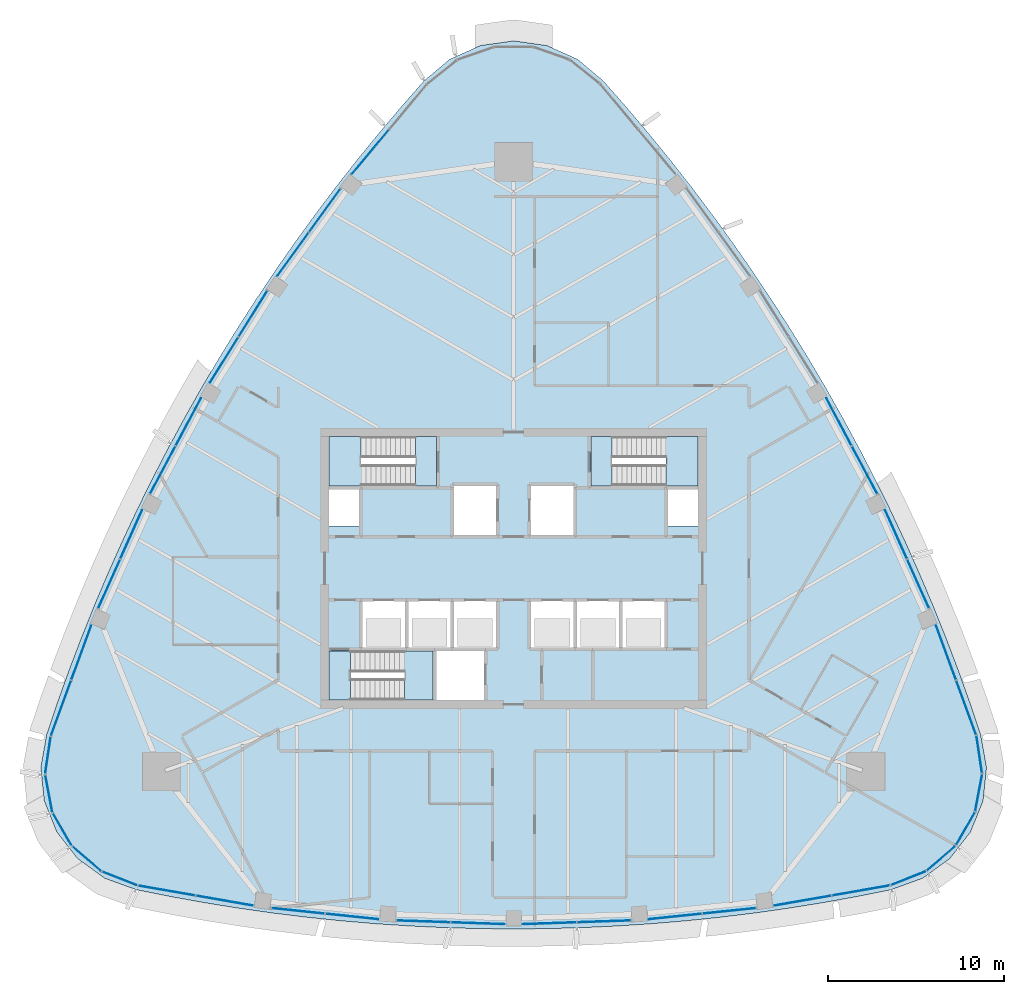
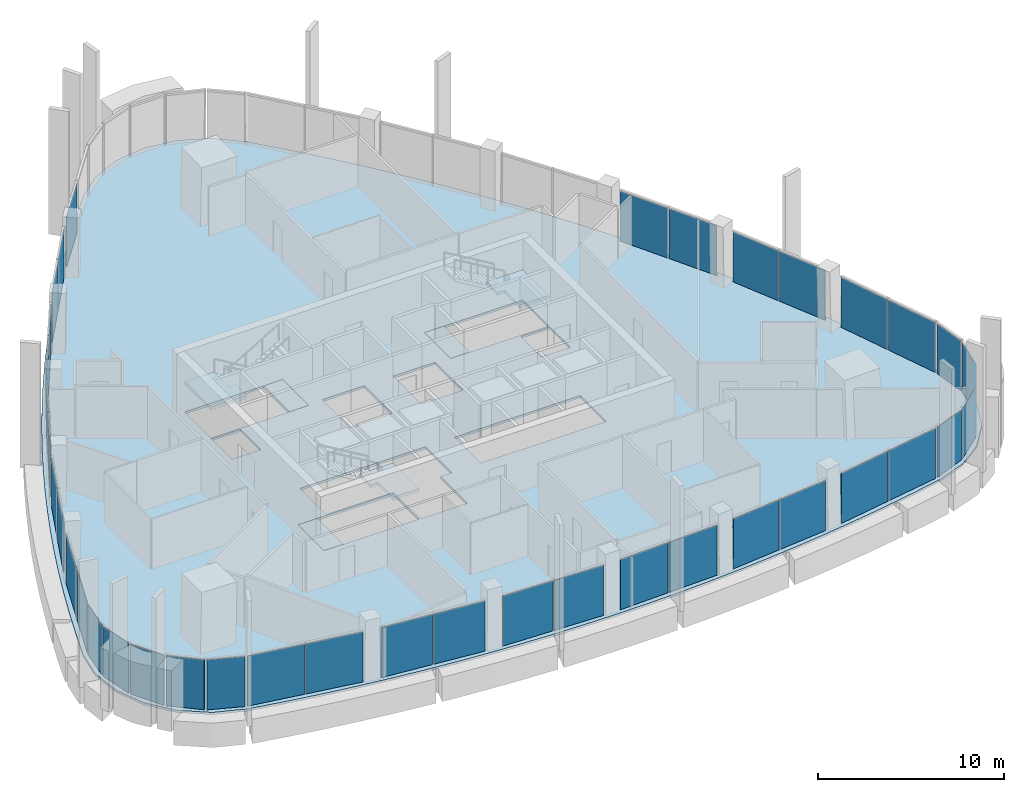
# One storey, part 7 of 19: 39 plates, 7 slabs, 28 elements without a shape of their own.
"""IFC4 building model written with IfcOpenShell, lengths in metres."""

import ifcopenshell
import ifcopenshell.guid

model = None  # the IFC model being written
_history = None  # IfcOwnerHistory: only IFC2X3 demands one
_inside = {}  # id of a spatial element -> (the spatial element, [elements in it])
_under = {}  # id of a project, library or spatial element -> (it, [spatial elements below it])
_declared = {}  # id of a project -> (the project, [libraries it declares])
_typed = {}  # id of a type object -> (the type object, [elements of that type])
_made_of = {}  # id of a material, layer set ... -> (it, [elements and type objects made of it])


def new_model(schema):
    """Start an empty IFC model of exactly this schema.

    Asked for "IFC4X3", IfcOpenShell would pick the latest addendum, in which some entities
    have other attributes; the version numbers below select the first issue.
    IFC2X3 requires an IfcOwnerHistory on every rooted entity: one is made here for all.
    """
    global model, _history
    if schema == "IFC4X3":
        model = ifcopenshell.file(schema_version=(4, 3, 0, 0))
    else:
        model = ifcopenshell.file(schema=schema)
    _inside.clear()
    _under.clear()
    _declared.clear()
    _typed.clear()
    _made_of.clear()
    _history = None
    if model.schema == "IFC2X3":
        org = make("IfcOrganization", Name="unknown")
        user = make(
            "IfcPersonAndOrganization",
            ThePerson=make("IfcPerson", FamilyName="unknown"),
            TheOrganization=org,
        )
        app = make(
            "IfcApplication",
            ApplicationDeveloper=org,
            Version="unknown",
            ApplicationFullName="unknown",
            ApplicationIdentifier="unknown",
        )
        _history = make(
            "IfcOwnerHistory",
            OwningUser=user,
            OwningApplication=app,
            ChangeAction="ADDED",
            CreationDate=0,
        )
    return model


def make(cls, **values):
    """One entity of the class cls with the attributes given. An attribute that is None is left unset."""
    return model.create_entity(
        cls, **{name: value for name, value in values.items() if value is not None}
    )


def rooted(cls, **values):
    """An entity with a GlobalId (a new one), such as an element, a storey or a relation."""
    return make(cls, GlobalId=ifcopenshell.guid.new(), OwnerHistory=_history, **values)


def si_unit(unit_type, name, prefix=None):
    """IfcSIUnit, for example si_unit("LENGTHUNIT", "METRE", prefix="MILLI")."""
    return make("IfcSIUnit", UnitType=unit_type, Prefix=prefix, Name=name)


def assignment(units):
    """IfcUnitAssignment: the units of a project."""
    return None if units is None else make("IfcUnitAssignment", Units=units)


def point(xyz):
    """IfcCartesianPoint."""
    return None if xyz is None else make("IfcCartesianPoint", Coordinates=xyz)


def direction(xyz):
    """IfcDirection."""
    return None if xyz is None else make("IfcDirection", DirectionRatios=xyz)


def frame(location, z_axis=None, x_axis=None):
    """IfcAxis2Placement3D, a coordinate frame: its origin and axes. An axis left out is left unset."""
    return make(
        "IfcAxis2Placement3D",
        Location=point(location),
        Axis=direction(z_axis),
        RefDirection=direction(x_axis),
    )


def frame_2d(location, x_axis=None):
    """IfcAxis2Placement2D, a coordinate frame in the plane: its origin and x axis."""
    return make(
        "IfcAxis2Placement2D", Location=point(location), RefDirection=direction(x_axis)
    )


def origin():
    """The frame at (0, 0, 0) with its axes left unset."""
    return frame((0.0, 0.0, 0.0))


def origin_2d():
    """The frame at (0, 0) in the plane with its x axis left unset."""
    return frame_2d((0.0, 0.0))


def place(relative_to, where):
    """IfcLocalPlacement: puts the frame where relative to a parent placement (None: the world)."""
    return make(
        "IfcLocalPlacement", PlacementRelTo=relative_to, RelativePlacement=where
    )


def context(
    kind, dimensions, precision=None, world=None, true_north=None, identifier=None
):
    """IfcGeometricRepresentationContext, for example the 3D "Model" context."""
    return make(
        "IfcGeometricRepresentationContext",
        ContextIdentifier=identifier,
        ContextType=kind,
        CoordinateSpaceDimension=dimensions,
        Precision=precision,
        WorldCoordinateSystem=world,
        TrueNorth=true_north,
    )


def subcontext(parent, identifier, kind, view, scale=None):
    """IfcGeometricRepresentationSubContext, for example "Body" below "Model"."""
    return make(
        "IfcGeometricRepresentationSubContext",
        ContextIdentifier=identifier,
        ContextType=kind,
        ParentContext=parent,
        TargetScale=scale,
        TargetView=view,
    )


def project(units=None, contexts=None):
    """IfcProject with its units and contexts."""
    return rooted(
        "IfcProject",
        Name="project",
        RepresentationContexts=contexts,
        UnitsInContext=assignment(units),
    )


def spatial(cls, under=None, at=None, **own):
    """A site, building, storey or space (cls), placed at a placement, below another one or the project."""
    s = rooted(cls, ObjectPlacement=at, **own)
    if under is not None:
        _under.setdefault(under.id(), (under, []))[1].append(s)
    return s


def polyline(points):
    """IfcPolyline through the points."""
    return make("IfcPolyline", Points=[point(p) for p in points])


def profile(cls, at=None, kind="AREA", **sizes):
    """A parametric profile (cls). Its sizes go by their IFC names, for example OverallWidth=200.0."""
    return make(cls, ProfileType=kind, Position=at, **sizes)


def rectangle(**sizes):
    """IfcRectangleProfileDef."""
    return profile("IfcRectangleProfileDef", **sizes)


def outline(outer, holes=None, kind="AREA"):
    """IfcArbitraryClosedProfileDef: a profile drawn as a closed curve; with holes, ...WithVoids."""
    if holes is None:
        return make("IfcArbitraryClosedProfileDef", ProfileType=kind, OuterCurve=outer)
    return make(
        "IfcArbitraryProfileDefWithVoids",
        ProfileType=kind,
        OuterCurve=outer,
        InnerCurves=holes,
    )


def extrude(swept, where, along, depth):
    """IfcExtrudedAreaSolid: the profile swept, set in the frame where, extruded along a direction by depth."""
    return make(
        "IfcExtrudedAreaSolid",
        SweptArea=swept,
        Position=where,
        ExtrudedDirection=direction(along),
        Depth=depth,
    )


def shape(context_of_items, identifier, shape_type, items):
    """IfcShapeRepresentation: the items that make up one representation, for example the "Body"."""
    return make(
        "IfcShapeRepresentation",
        ContextOfItems=context_of_items,
        RepresentationIdentifier=identifier,
        RepresentationType=shape_type,
        Items=items,
    )


def material(Name=None, Category=None):
    """IfcMaterial."""
    return make("IfcMaterial", Name=Name, Category=Category)


def layer(
    of_material, thickness, ventilated=None, Name=None, Category=None, Priority=None
):
    """IfcMaterialLayer: one layer of a wall or slab, of a material (None: an air gap)."""
    return make(
        "IfcMaterialLayer",
        Material=of_material,
        LayerThickness=thickness,
        IsVentilated=ventilated,
        Name=Name,
        Category=Category,
        Priority=Priority,
    )


def layer_set(layers, Name=None):
    """IfcMaterialLayerSet."""
    return make("IfcMaterialLayerSet", MaterialLayers=layers, LayerSetName=Name)


def made_of(thing, what):
    """Note that an element or type object is made of a material, layer set ...; save() writes the relation."""
    if what is not None:
        _made_of.setdefault(what.id(), (what, []))[1].append(thing)
    return thing


def type_object(cls, material=None, **own):
    """A type object (cls), such as IfcWallType, which elements share."""
    return made_of(rooted(cls, **own), material)


def element(
    cls,
    number,
    at=None,
    inside=None,
    cuts=None,
    type_object=None,
    material=None,
    context=None,
    identifier="Body",
    shape_type=None,
    held_by="IfcProductDefinitionShape",
    body=None,
    shapes=None,
    **own,
):
    """One element of the class cls, such as IfcWall. Its Tag is "e" and its number.

    at: its placement. inside: the storey or other place that contains it. cuts: it is an
    opening in that element (IfcRelVoidsElement). A single representation is given by context,
    identifier, shape_type and body (its items); several are given by shapes. held_by: the class
    of the entity that holds the representations. save() writes the other relations.
    """
    e = rooted(cls, Tag="e%d" % number, ObjectPlacement=at, **own)
    if body is not None:
        shapes = [shape(context, identifier, shape_type, body)]
    if shapes is not None:
        e.Representation = make(held_by, Representations=shapes)
    if inside is not None:
        _inside.setdefault(inside.id(), (inside, []))[1].append(e)
    if cuts is not None:
        rooted(
            "IfcRelVoidsElement", RelatingBuildingElement=cuts, RelatedOpeningElement=e
        )
    if type_object is not None:
        _typed.setdefault(type_object.id(), (type_object, []))[1].append(e)
    return made_of(e, material)


def aggregate(whole, parts):
    """IfcRelAggregates: a whole, such as a stair, and the parts it consists of."""
    return rooted("IfcRelAggregates", RelatingObject=whole, RelatedObjects=parts)


def save(model, path):
    """Write the relations noted so far, then the file.

    IfcRelAggregates (storeys below a building ...), IfcRelContainedInSpatialStructure (elements
    in a storey), IfcRelDefinesByType, IfcRelAssociatesMaterial and IfcRelDeclares: one each for
    every whole, place, type object, material and project.
    """
    for whole, parts in _under.values():
        aggregate(whole, parts)
    for where, things in _inside.values():
        rooted(
            "IfcRelContainedInSpatialStructure",
            RelatedElements=things,
            RelatingStructure=where,
        )
    for kind, things in _typed.values():
        rooted("IfcRelDefinesByType", RelatedObjects=things, RelatingType=kind)
    for what, things in _made_of.values():
        rooted("IfcRelAssociatesMaterial", RelatedObjects=things, RelatingMaterial=what)
    for by, libraries in _declared.values():
        rooted("IfcRelDeclares", RelatingContext=by, RelatedDefinitions=libraries)
    model.write(path)


model = new_model("IFC4")

# Units and contexts
model_context = context("Model", 3, precision=1e-05, world=origin(), true_north=direction((0.0, 1.0)))
body_context = subcontext(model_context, "Body", "Model", "MODEL_VIEW")
ifc_project = project(units=[si_unit("LENGTHUNIT", "METRE"), si_unit("AREAUNIT", "SQUARE_METRE"), si_unit("VOLUMEUNIT", "CUBIC_METRE"), si_unit("PLANEANGLEUNIT", "RADIAN"), si_unit("MASSUNIT", "GRAM", prefix="KILO")], contexts=[model_context])

# Site, building, storey
site_placement = place(None, origin())
site = spatial("IfcSite", under=ifc_project, at=site_placement, CompositionType="ELEMENT")
building_placement = place(site_placement, origin())
building = spatial("IfcBuilding", under=site, at=building_placement, Name="Sierra Prisma Convention Tower", CompositionType="ELEMENT")
storey_placement = place(building_placement, frame((0.0, 0.0, 311.0)))
storey = spatial("IfcBuildingStorey", under=building, at=storey_placement, Name="L71", CompositionType="ELEMENT", Elevation=311.0)

# Curtain wall, plates
ifc_material_1 = material(Name="Aluminium and glass curtain wall", Category="aluminium")
ifc_layer_1 = layer(ifc_material_1, 0.179931640625)
ifc_layer_set_1 = layer_set([ifc_layer_1], Name="CW-1 Plain shaft curtain wall")
curtain_wall_type = type_object("IfcCurtainWallType", Name="CW-1 Plain shaft curtain wall", PredefinedType="NOTDEFINED", material=ifc_layer_set_1)
curtain_wall_1_placement = place(storey_placement, origin())
curtain_wall_1 = element("IfcCurtainWall", 1, at=curtain_wall_1_placement, inside=storey, type_object=curtain_wall_type, Name="CW-1 S1 L71", PredefinedType="NOTDEFINED")
ifc_material_2 = material(Name="Tinted glass bronze-grey IGU", Category="glass")
ifc_layer_2 = layer(ifc_material_2, 0.028076171875)
ifc_layer_set_2 = layer_set([ifc_layer_2], Name="CW-1 glass panel")
plate_type = type_object("IfcPlateType", Name="CW-1 glass panel", PredefinedType="CURTAIN_PANEL", material=ifc_layer_set_2)
plate_1_placement = place(storey_placement, frame((-19.748291015625, -18.34423828125, 0.0), z_axis=(0.0, 0.0, 1.0), x_axis=(0.985143539938, -0.171732948843, 0.0)))
plate_1 = element("IfcPlate", 2, at=plate_1_placement, type_object=plate_type, Name="CW-1 panel S1.1", PredefinedType="CURTAIN_PANEL", context=body_context, shape_type="SweptSolid", body=[
    extrude(rectangle(XDim=3.265869140625, YDim=0.028076171875, at=origin_2d()), origin(), (0.0, 0.0, 1.0), 3.280029296875),
])
plate_2_placement = place(storey_placement, frame((-16.4619140625, -18.917236328125, 0.0), z_axis=(0.0, 0.0, 1.0), x_axis=(0.985143539938, -0.171732948843, 0.0)))
plate_2 = element("IfcPlate", 3, at=plate_2_placement, type_object=plate_type, Name="CW-1 panel S1.2", PredefinedType="CURTAIN_PANEL", context=body_context, shape_type="SweptSolid", body=[
    extrude(rectangle(XDim=3.265869140625, YDim=0.028076171875, at=origin_2d()), origin(), (0.0, 0.0, 1.0), 3.280029296875),
])
aggregate(curtain_wall_1, [plate_1, plate_2])

curtain_wall_2_placement = place(storey_placement, origin())
curtain_wall_2 = element("IfcCurtainWall", 4, at=curtain_wall_2_placement, inside=storey, type_object=curtain_wall_type, Name="CW-1 S2 L71", PredefinedType="NOTDEFINED")
plate_3_placement = place(storey_placement, frame((-12.27880859375, -19.501220703125, 0.0), z_axis=(0.0, 0.0, 1.0), x_axis=(0.994643168248, -0.103368118187, 0.0)))
plate_3 = element("IfcPlate", 5, at=plate_3_placement, type_object=plate_type, Name="CW-1 panel S2.1", PredefinedType="CURTAIN_PANEL", context=body_context, shape_type="SweptSolid", body=[
    extrude(rectangle(XDim=3.01904296875, YDim=0.028076171875, at=origin_2d()), origin(), (0.0, 0.0, 1.0), 3.280029296875),
])
plate_4_placement = place(storey_placement, frame((-9.206298828125, -19.820556640625, 0.0), z_axis=(0.0, 0.0, 1.0), x_axis=(0.994643168248, -0.103368118187, 0.0)))
plate_4 = element("IfcPlate", 6, at=plate_4_placement, type_object=plate_type, Name="CW-1 panel S2.2", PredefinedType="CURTAIN_PANEL", context=body_context, shape_type="SweptSolid", body=[
    extrude(rectangle(XDim=3.01904296875, YDim=0.028076171875, at=origin_2d()), origin(), (0.0, 0.0, 1.0), 3.280029296875),
])
aggregate(curtain_wall_2, [plate_3, plate_4])

curtain_wall_3_placement = place(storey_placement, origin())
curtain_wall_3 = element("IfcCurtainWall", 7, at=curtain_wall_3_placement, inside=storey, type_object=curtain_wall_type, Name="CW-1 S3 L71", PredefinedType="NOTDEFINED")
plate_5_placement = place(storey_placement, frame((-5.139404296875, -20.10107421875, 0.0), z_axis=(0.0, 0.0, 1.0), x_axis=(0.999404323458, -0.034510842539, 0.0)))
plate_5 = element("IfcPlate", 8, at=plate_5_placement, type_object=plate_type, Name="CW-1 panel S3.1", PredefinedType="CURTAIN_PANEL", context=body_context, shape_type="SweptSolid", body=[
    extrude(rectangle(XDim=3.034912109375, YDim=0.028076171875, at=origin_2d()), origin(), (0.0, 0.0, 1.0), 3.280029296875),
])
plate_6_placement = place(storey_placement, frame((-2.036376953125, -20.208251953125, 0.0), z_axis=(0.0, 0.0, 1.0), x_axis=(0.999404323458, -0.034510842539, 0.0)))
plate_6 = element("IfcPlate", 9, at=plate_6_placement, type_object=plate_type, Name="CW-1 panel S3.2", PredefinedType="CURTAIN_PANEL", context=body_context, shape_type="SweptSolid", body=[
    extrude(rectangle(XDim=3.034912109375, YDim=0.028076171875, at=origin_2d()), origin(), (0.0, 0.0, 1.0), 3.280029296875),
])
aggregate(curtain_wall_3, [plate_5, plate_6])

curtain_wall_4_placement = place(storey_placement, origin())
curtain_wall_4 = element("IfcCurtainWall", 10, at=curtain_wall_4_placement, inside=storey, type_object=curtain_wall_type, Name="CW-1 S4 L71", PredefinedType="NOTDEFINED")
plate_7_placement = place(storey_placement, frame((2.036376953125, -20.208251953125, 0.0), z_axis=(0.0, 0.0, 1.0), x_axis=(0.999404323458, 0.034510842539, 0.0)))
plate_7 = element("IfcPlate", 11, at=plate_7_placement, type_object=plate_type, Name="CW-1 panel S4.1", PredefinedType="CURTAIN_PANEL", context=body_context, shape_type="SweptSolid", body=[
    extrude(rectangle(XDim=3.034912109375, YDim=0.028076171875, at=origin_2d()), origin(), (0.0, 0.0, 1.0), 3.280029296875),
])
plate_8_placement = place(storey_placement, frame((5.139404296875, -20.10107421875, 0.0), z_axis=(0.0, 0.0, 1.0), x_axis=(0.999404323458, 0.034510842539, 0.0)))
plate_8 = element("IfcPlate", 12, at=plate_8_placement, type_object=plate_type, Name="CW-1 panel S4.2", PredefinedType="CURTAIN_PANEL", context=body_context, shape_type="SweptSolid", body=[
    extrude(rectangle(XDim=3.034912109375, YDim=0.028076171875, at=origin_2d()), origin(), (0.0, 0.0, 1.0), 3.280029296875),
])
aggregate(curtain_wall_4, [plate_7, plate_8])

curtain_wall_5_placement = place(storey_placement, origin())
curtain_wall_5 = element("IfcCurtainWall", 13, at=curtain_wall_5_placement, inside=storey, type_object=curtain_wall_type, Name="CW-1 S5 L71", PredefinedType="NOTDEFINED")
plate_9_placement = place(storey_placement, frame((9.206298828125, -19.820556640625, 0.0), z_axis=(0.0, 0.0, 1.0), x_axis=(0.994643168248, 0.103368118187, 0.0)))
plate_9 = element("IfcPlate", 14, at=plate_9_placement, type_object=plate_type, Name="CW-1 panel S5.1", PredefinedType="CURTAIN_PANEL", context=body_context, shape_type="SweptSolid", body=[
    extrude(rectangle(XDim=3.01904296875, YDim=0.028076171875, at=origin_2d()), origin(), (0.0, 0.0, 1.0), 3.280029296875),
])
plate_10_placement = place(storey_placement, frame((12.27880859375, -19.501220703125, 0.0), z_axis=(0.0, 0.0, 1.0), x_axis=(0.994643168248, 0.103368118187, 0.0)))
plate_10 = element("IfcPlate", 15, at=plate_10_placement, type_object=plate_type, Name="CW-1 panel S5.2", PredefinedType="CURTAIN_PANEL", context=body_context, shape_type="SweptSolid", body=[
    extrude(rectangle(XDim=3.01904296875, YDim=0.028076171875, at=origin_2d()), origin(), (0.0, 0.0, 1.0), 3.280029296875),
])
aggregate(curtain_wall_5, [plate_9, plate_10])

curtain_wall_6_placement = place(storey_placement, origin())
curtain_wall_6 = element("IfcCurtainWall", 16, at=curtain_wall_6_placement, inside=storey, type_object=curtain_wall_type, Name="CW-1 S6 L71", PredefinedType="NOTDEFINED")
plate_11_placement = place(storey_placement, frame((16.4619140625, -18.917236328125, 0.0), z_axis=(0.0, 0.0, 1.0), x_axis=(0.985143539938, 0.171732948843, 0.0)))
plate_11 = element("IfcPlate", 17, at=plate_11_placement, type_object=plate_type, Name="CW-1 panel S6.1", PredefinedType="CURTAIN_PANEL", context=body_context, shape_type="SweptSolid", body=[
    extrude(rectangle(XDim=3.265869140625, YDim=0.028076171875, at=origin_2d()), origin(), (0.0, 0.0, 1.0), 3.280029296875),
])
plate_12_placement = place(storey_placement, frame((19.748291015625, -18.34423828125, 0.0), z_axis=(0.0, 0.0, 1.0), x_axis=(0.985143539938, 0.171732948843, 0.0)))
plate_12 = element("IfcPlate", 18, at=plate_12_placement, type_object=plate_type, Name="CW-1 panel S6.2", PredefinedType="CURTAIN_PANEL", context=body_context, shape_type="SweptSolid", body=[
    extrude(rectangle(XDim=3.265869140625, YDim=0.028076171875, at=origin_2d()), origin(), (0.0, 0.0, 1.0), 3.280029296875),
])
aggregate(curtain_wall_6, [plate_11, plate_12])

# Curtain wall, plate
curtain_wall_7_placement = place(storey_placement, origin())
curtain_wall_7 = element("IfcCurtainWall", 19, at=curtain_wall_7_placement, inside=storey, type_object=curtain_wall_type, Name="CW-1 SE1 L71", PredefinedType="NOTDEFINED")
plate_13_placement = place(storey_placement, frame((22.4541015625, -17.64697265625, 0.0), z_axis=(0.0, 0.0, 1.0), x_axis=(0.930462030653, 0.366388331574, 0.0)))
plate_13 = element("IfcPlate", 20, at=plate_13_placement, type_object=plate_type, Name="CW-1 panel SE1.1", PredefinedType="CURTAIN_PANEL", context=body_context, shape_type="SweptSolid", body=[
    extrude(rectangle(XDim=2.06982421875, YDim=0.028076171875, at=origin_2d()), origin(), (0.0, 0.0, 1.0), 3.280029296875),
])
aggregate(curtain_wall_7, [plate_13])

curtain_wall_8_placement = place(storey_placement, origin())
curtain_wall_8 = element("IfcCurtainWall", 21, at=curtain_wall_8_placement, inside=storey, type_object=curtain_wall_type, Name="CW-1 SE2 L71", PredefinedType="NOTDEFINED")
plate_14_placement = place(storey_placement, frame((24.3193359375, -16.52099609375, 0.0), z_axis=(0.0, 0.0, 1.0), x_axis=(0.757604584375, 0.652713791591, 0.0)))
plate_14 = element("IfcPlate", 22, at=plate_14_placement, type_object=plate_type, Name="CW-1 panel SE2.1", PredefinedType="CURTAIN_PANEL", context=body_context, shape_type="SweptSolid", body=[
    extrude(rectangle(XDim=2.06982421875, YDim=0.028076171875, at=origin_2d()), origin(), (0.0, 0.0, 1.0), 3.280029296875),
])
aggregate(curtain_wall_8, [plate_14])

curtain_wall_9_placement = place(storey_placement, origin())
curtain_wall_9 = element("IfcCurtainWall", 23, at=curtain_wall_9_placement, inside=storey, type_object=curtain_wall_type, Name="CW-1 SE3 L71", PredefinedType="NOTDEFINED")
plate_15_placement = place(storey_placement, frame((25.708740234375, -14.843017578125, 0.0), z_axis=(0.0, 0.0, 1.0), x_axis=(0.5, 0.866025403784, 0.0)))
plate_15 = element("IfcPlate", 24, at=plate_15_placement, type_object=plate_type, Name="CW-1 panel SE3.1", PredefinedType="CURTAIN_PANEL", context=body_context, shape_type="SweptSolid", body=[
    extrude(rectangle(XDim=2.06982421875, YDim=0.028076171875, at=origin_2d()), origin(), (0.0, 0.0, 1.0), 3.280029296875),
])
aggregate(curtain_wall_9, [plate_15])

curtain_wall_10_placement = place(storey_placement, origin())
curtain_wall_10 = element("IfcCurtainWall", 25, at=curtain_wall_10_placement, inside=storey, type_object=curtain_wall_type, Name="CW-1 SE4 L71", PredefinedType="NOTDEFINED")
plate_16_placement = place(storey_placement, frame((26.46728515625, -12.800537109375, 0.0), z_axis=(0.0, 0.0, 1.0), x_axis=(0.186464432731, 0.982461711888, 0.0)))
plate_16 = element("IfcPlate", 26, at=plate_16_placement, type_object=plate_type, Name="CW-1 panel SE4.1", PredefinedType="CURTAIN_PANEL", context=body_context, shape_type="SweptSolid", body=[
    extrude(rectangle(XDim=2.06982421875, YDim=0.028076171875, at=origin_2d()), origin(), (0.0, 0.0, 1.0), 3.280029296875),
])
aggregate(curtain_wall_10, [plate_16])

curtain_wall_11_placement = place(storey_placement, origin())
curtain_wall_11 = element("IfcCurtainWall", 27, at=curtain_wall_11_placement, inside=storey, type_object=curtain_wall_type, Name="CW-1 SE5 L71", PredefinedType="NOTDEFINED")
plate_17_placement = place(storey_placement, frame((26.509765625, -10.622314453125, 0.0), z_axis=(0.0, 0.0, 1.0), x_axis=(-0.147929412533, 0.988997921589, 0.0)))
plate_17 = element("IfcPlate", 28, at=plate_17_placement, type_object=plate_type, Name="CW-1 panel SE5.1", PredefinedType="CURTAIN_PANEL", context=body_context, shape_type="SweptSolid", body=[
    extrude(rectangle(XDim=2.06982421875, YDim=0.028076171875, at=origin_2d()), origin(), (0.0, 0.0, 1.0), 3.280029296875),
])
aggregate(curtain_wall_11, [plate_17])

# Curtain wall, plates
curtain_wall_12_placement = place(storey_placement, origin())
curtain_wall_12 = element("IfcCurtainWall", 29, at=curtain_wall_12_placement, inside=storey, type_object=curtain_wall_type, Name="CW-1 NE1 L71", PredefinedType="NOTDEFINED")
plate_18_placement = place(storey_placement, frame((25.7607421875, -7.930419921875, 0.0), z_axis=(0.0, 0.0, 1.0), x_axis=(-0.343846673604, 0.939025806382, 0.0)))
plate_18 = element("IfcPlate", 30, at=plate_18_placement, type_object=plate_type, Name="CW-1 panel NE1.1", PredefinedType="CURTAIN_PANEL", context=body_context, shape_type="SweptSolid", body=[
    extrude(rectangle(XDim=3.265869140625, YDim=0.028076171875, at=origin_2d()), origin(), (0.0, 0.0, 1.0), 3.280029296875),
])
plate_19_placement = place(storey_placement, frame((24.61376953125, -4.7978515625, 0.0), z_axis=(0.0, 0.0, 1.0), x_axis=(-0.343846673604, 0.939025806382, 0.0)))
plate_19 = element("IfcPlate", 31, at=plate_19_placement, type_object=plate_type, Name="CW-1 panel NE1.2", PredefinedType="CURTAIN_PANEL", context=body_context, shape_type="SweptSolid", body=[
    extrude(rectangle(XDim=3.265869140625, YDim=0.028076171875, at=origin_2d()), origin(), (0.0, 0.0, 1.0), 3.280029296875),
])
aggregate(curtain_wall_12, [plate_18, plate_19])

curtain_wall_13_placement = place(storey_placement, origin())
curtain_wall_13 = element("IfcCurtainWall", 32, at=curtain_wall_13_placement, inside=storey, type_object=curtain_wall_type, Name="CW-1 NE2 L71", PredefinedType="NOTDEFINED")
plate_20_placement = place(storey_placement, frame((23.028076171875, -0.88330078125, 0.0), z_axis=(0.0, 0.0, 1.0), x_axis=(-0.407802167832, 0.913070310497, 0.0)))
plate_20 = element("IfcPlate", 33, at=plate_20_placement, type_object=plate_type, Name="CW-1 panel NE2.1", PredefinedType="CURTAIN_PANEL", context=body_context, shape_type="SweptSolid", body=[
    extrude(rectangle(XDim=3.019287109375, YDim=0.028076171875, at=origin_2d()), origin(), (0.0, 0.0, 1.0), 3.280029296875),
])
plate_21_placement = place(storey_placement, frame((21.768310546875, 1.937255859375, 0.0), z_axis=(0.0, 0.0, 1.0), x_axis=(-0.407802167832, 0.913070310497, 0.0)))
plate_21 = element("IfcPlate", 34, at=plate_21_placement, type_object=plate_type, Name="CW-1 panel NE2.2", PredefinedType="CURTAIN_PANEL", context=body_context, shape_type="SweptSolid", body=[
    extrude(rectangle(XDim=3.019287109375, YDim=0.028076171875, at=origin_2d()), origin(), (0.0, 0.0, 1.0), 3.280029296875),
])
aggregate(curtain_wall_13, [plate_20, plate_21])

curtain_wall_14_placement = place(storey_placement, origin())
curtain_wall_14 = element("IfcCurtainWall", 35, at=curtain_wall_14_placement, inside=storey, type_object=curtain_wall_type, Name="CW-1 NE3 L71", PredefinedType="NOTDEFINED")
plate_22_placement = place(storey_placement, frame((19.977783203125, 5.599609375, 0.0), z_axis=(0.0, 0.0, 1.0), x_axis=(-0.469814895384, 0.882764954036, 0.0)))
plate_22 = element("IfcPlate", 36, at=plate_22_placement, type_object=plate_type, Name="CW-1 panel NE3.1", PredefinedType="CURTAIN_PANEL", context=body_context, shape_type="SweptSolid", body=[
    extrude(rectangle(XDim=3.034912109375, YDim=0.028076171875, at=origin_2d()), origin(), (0.0, 0.0, 1.0), 3.280029296875),
])
plate_23_placement = place(storey_placement, frame((18.51904296875, 8.340576171875, 0.0), z_axis=(0.0, 0.0, 1.0), x_axis=(-0.469814895384, 0.882764954036, 0.0)))
plate_23 = element("IfcPlate", 37, at=plate_23_placement, type_object=plate_type, Name="CW-1 panel NE3.2", PredefinedType="CURTAIN_PANEL", context=body_context, shape_type="SweptSolid", body=[
    extrude(rectangle(XDim=3.034912109375, YDim=0.028076171875, at=origin_2d()), origin(), (0.0, 0.0, 1.0), 3.280029296875),
])
aggregate(curtain_wall_14, [plate_22, plate_23])

# Curtain wall, plate
curtain_wall_15_placement = place(storey_placement, origin())
curtain_wall_15 = element("IfcCurtainWall", 38, at=curtain_wall_15_placement, inside=storey, type_object=curtain_wall_type, Name="CW-1 NW1 L71", PredefinedType="NOTDEFINED")
plate_24_placement = place(storey_placement, frame((-8.15185546875, 23.715087890625, 0.0), z_axis=(0.0, 0.0, 1.0), x_axis=(-0.641296866334, -0.767292857539, 0.0)))
plate_24 = element("IfcPlate", 39, at=plate_24_placement, type_object=plate_type, Name="CW-1 panel NW1.2", PredefinedType="CURTAIN_PANEL", context=body_context, shape_type="SweptSolid", body=[
    extrude(rectangle(XDim=3.265869140625, YDim=0.028076171875, at=origin_2d()), origin(), (0.0, 0.0, 1.0), 3.280029296875),
])
aggregate(curtain_wall_15, [plate_24])

# Curtain wall, plates
curtain_wall_16_placement = place(storey_placement, origin())
curtain_wall_16 = element("IfcCurtainWall", 40, at=curtain_wall_16_placement, inside=storey, type_object=curtain_wall_type, Name="CW-1 NW2 L71", PredefinedType="NOTDEFINED")
plate_25_placement = place(storey_placement, frame((-10.7490234375, 20.384521484375, 0.0), z_axis=(0.0, 0.0, 1.0), x_axis=(-0.586841000416, -0.80970219231, 0.0)))
plate_25 = element("IfcPlate", 41, at=plate_25_placement, type_object=plate_type, Name="CW-1 panel NW2.1", PredefinedType="CURTAIN_PANEL", context=body_context, shape_type="SweptSolid", body=[
    extrude(rectangle(XDim=3.01904296875, YDim=0.028076171875, at=origin_2d()), origin(), (0.0, 0.0, 1.0), 3.280029296875),
])
plate_26_placement = place(storey_placement, frame((-12.56201171875, 17.88330078125, 0.0), z_axis=(0.0, 0.0, 1.0), x_axis=(-0.586841000416, -0.80970219231, 0.0)))
plate_26 = element("IfcPlate", 42, at=plate_26_placement, type_object=plate_type, Name="CW-1 panel NW2.2", PredefinedType="CURTAIN_PANEL", context=body_context, shape_type="SweptSolid", body=[
    extrude(rectangle(XDim=3.01904296875, YDim=0.028076171875, at=origin_2d()), origin(), (0.0, 0.0, 1.0), 3.280029296875),
])
aggregate(curtain_wall_16, [plate_25, plate_26])

curtain_wall_17_placement = place(storey_placement, origin())
curtain_wall_17 = element("IfcCurtainWall", 43, at=curtain_wall_17_placement, inside=storey, type_object=curtain_wall_type, Name="CW-1 NW3 L71", PredefinedType="NOTDEFINED")
plate_27_placement = place(storey_placement, frame((-14.83837890625, 14.50146484375, 0.0), z_axis=(0.0, 0.0, 1.0), x_axis=(-0.529589428074, -0.848254111497, 0.0)))
plate_27 = element("IfcPlate", 44, at=plate_27_placement, type_object=plate_type, Name="CW-1 panel NW3.1", PredefinedType="CURTAIN_PANEL", context=body_context, shape_type="SweptSolid", body=[
    extrude(rectangle(XDim=3.034912109375, YDim=0.028076171875, at=origin_2d()), origin(), (0.0, 0.0, 1.0), 3.280029296875),
])
plate_28_placement = place(storey_placement, frame((-16.482666015625, 11.86767578125, 0.0), z_axis=(0.0, 0.0, 1.0), x_axis=(-0.529589428074, -0.848254111497, 0.0)))
plate_28 = element("IfcPlate", 45, at=plate_28_placement, type_object=plate_type, Name="CW-1 panel NW3.2", PredefinedType="CURTAIN_PANEL", context=body_context, shape_type="SweptSolid", body=[
    extrude(rectangle(XDim=3.034912109375, YDim=0.028076171875, at=origin_2d()), origin(), (0.0, 0.0, 1.0), 3.280029296875),
])
aggregate(curtain_wall_17, [plate_27, plate_28])

curtain_wall_18_placement = place(storey_placement, origin())
curtain_wall_18 = element("IfcCurtainWall", 46, at=curtain_wall_18_placement, inside=storey, type_object=curtain_wall_type, Name="CW-1 NW4 L71", PredefinedType="NOTDEFINED")
plate_29_placement = place(storey_placement, frame((-18.51904296875, 8.340576171875, 0.0), z_axis=(0.0, 0.0, 1.0), x_axis=(-0.469814895384, -0.882764954036, 0.0)))
plate_29 = element("IfcPlate", 47, at=plate_29_placement, type_object=plate_type, Name="CW-1 panel NW4.1", PredefinedType="CURTAIN_PANEL", context=body_context, shape_type="SweptSolid", body=[
    extrude(rectangle(XDim=3.034912109375, YDim=0.028076171875, at=origin_2d()), origin(), (0.0, 0.0, 1.0), 3.280029296875),
])
plate_30_placement = place(storey_placement, frame((-19.977783203125, 5.599853515625, 0.0), z_axis=(0.0, 0.0, 1.0), x_axis=(-0.469814895384, -0.882764954036, 0.0)))
plate_30 = element("IfcPlate", 48, at=plate_30_placement, type_object=plate_type, Name="CW-1 panel NW4.2", PredefinedType="CURTAIN_PANEL", context=body_context, shape_type="SweptSolid", body=[
    extrude(rectangle(XDim=3.034912109375, YDim=0.028076171875, at=origin_2d()), origin(), (0.0, 0.0, 1.0), 3.280029296875),
])
aggregate(curtain_wall_18, [plate_29, plate_30])

curtain_wall_19_placement = place(storey_placement, origin())
curtain_wall_19 = element("IfcCurtainWall", 49, at=curtain_wall_19_placement, inside=storey, type_object=curtain_wall_type, Name="CW-1 NW5 L71", PredefinedType="NOTDEFINED")
plate_31_placement = place(storey_placement, frame((-21.768310546875, 1.9375, 0.0), z_axis=(0.0, 0.0, 1.0), x_axis=(-0.407802167832, -0.913070310497, 0.0)))
plate_31 = element("IfcPlate", 50, at=plate_31_placement, type_object=plate_type, Name="CW-1 panel NW5.1", PredefinedType="CURTAIN_PANEL", context=body_context, shape_type="SweptSolid", body=[
    extrude(rectangle(XDim=3.01904296875, YDim=0.028076171875, at=origin_2d()), origin(), (0.0, 0.0, 1.0), 3.280029296875),
])
plate_32_placement = place(storey_placement, frame((-23.028076171875, -0.88330078125, 0.0), z_axis=(0.0, 0.0, 1.0), x_axis=(-0.407802167832, -0.913070310497, 0.0)))
plate_32 = element("IfcPlate", 51, at=plate_32_placement, type_object=plate_type, Name="CW-1 panel NW5.2", PredefinedType="CURTAIN_PANEL", context=body_context, shape_type="SweptSolid", body=[
    extrude(rectangle(XDim=3.01904296875, YDim=0.028076171875, at=origin_2d()), origin(), (0.0, 0.0, 1.0), 3.280029296875),
])
aggregate(curtain_wall_19, [plate_31, plate_32])

curtain_wall_20_placement = place(storey_placement, origin())
curtain_wall_20 = element("IfcCurtainWall", 52, at=curtain_wall_20_placement, inside=storey, type_object=curtain_wall_type, Name="CW-1 NW6 L71", PredefinedType="NOTDEFINED")
plate_33_placement = place(storey_placement, frame((-24.61376953125, -4.7978515625, 0.0), z_axis=(0.0, 0.0, 1.0), x_axis=(-0.343846673604, -0.939025806382, 0.0)))
plate_33 = element("IfcPlate", 53, at=plate_33_placement, type_object=plate_type, Name="CW-1 panel NW6.1", PredefinedType="CURTAIN_PANEL", context=body_context, shape_type="SweptSolid", body=[
    extrude(rectangle(XDim=3.265869140625, YDim=0.028076171875, at=origin_2d()), origin(), (0.0, 0.0, 1.0), 3.280029296875),
])
plate_34_placement = place(storey_placement, frame((-25.7607421875, -7.930419921875, 0.0), z_axis=(0.0, 0.0, 1.0), x_axis=(-0.343846673604, -0.939025806382, 0.0)))
plate_34 = element("IfcPlate", 54, at=plate_34_placement, type_object=plate_type, Name="CW-1 panel NW6.2", PredefinedType="CURTAIN_PANEL", context=body_context, shape_type="SweptSolid", body=[
    extrude(rectangle(XDim=3.265869140625, YDim=0.028076171875, at=origin_2d()), origin(), (0.0, 0.0, 1.0), 3.280029296875),
])
aggregate(curtain_wall_20, [plate_33, plate_34])

# Curtain wall, plate
curtain_wall_21_placement = place(storey_placement, origin())
curtain_wall_21 = element("IfcCurtainWall", 55, at=curtain_wall_21_placement, inside=storey, type_object=curtain_wall_type, Name="CW-1 SW1 L71", PredefinedType="NOTDEFINED")
plate_35_placement = place(storey_placement, frame((-26.509765625, -10.622314453125, 0.0), z_axis=(0.0, 0.0, 1.0), x_axis=(-0.147929412533, -0.988997921589, 0.0)))
plate_35 = element("IfcPlate", 56, at=plate_35_placement, type_object=plate_type, Name="CW-1 panel SW1.1", PredefinedType="CURTAIN_PANEL", context=body_context, shape_type="SweptSolid", body=[
    extrude(rectangle(XDim=2.06982421875, YDim=0.028076171875, at=origin_2d()), origin(), (0.0, 0.0, 1.0), 3.280029296875),
])
aggregate(curtain_wall_21, [plate_35])

curtain_wall_22_placement = place(storey_placement, origin())
curtain_wall_22 = element("IfcCurtainWall", 57, at=curtain_wall_22_placement, inside=storey, type_object=curtain_wall_type, Name="CW-1 SW2 L71", PredefinedType="NOTDEFINED")
plate_36_placement = place(storey_placement, frame((-26.46728515625, -12.800537109375, 0.0), z_axis=(0.0, 0.0, 1.0), x_axis=(0.186464432731, -0.982461711888, 0.0)))
plate_36 = element("IfcPlate", 58, at=plate_36_placement, type_object=plate_type, Name="CW-1 panel SW2.1", PredefinedType="CURTAIN_PANEL", context=body_context, shape_type="SweptSolid", body=[
    extrude(rectangle(XDim=2.06982421875, YDim=0.028076171875, at=origin_2d()), origin(), (0.0, 0.0, 1.0), 3.280029296875),
])
aggregate(curtain_wall_22, [plate_36])

curtain_wall_23_placement = place(storey_placement, origin())
curtain_wall_23 = element("IfcCurtainWall", 59, at=curtain_wall_23_placement, inside=storey, type_object=curtain_wall_type, Name="CW-1 SW3 L71", PredefinedType="NOTDEFINED")
plate_37_placement = place(storey_placement, frame((-25.708740234375, -14.843017578125, 0.0), z_axis=(0.0, 0.0, 1.0), x_axis=(0.5, -0.866025403784, 0.0)))
plate_37 = element("IfcPlate", 60, at=plate_37_placement, type_object=plate_type, Name="CW-1 panel SW3.1", PredefinedType="CURTAIN_PANEL", context=body_context, shape_type="SweptSolid", body=[
    extrude(rectangle(XDim=2.06982421875, YDim=0.028076171875, at=origin_2d()), origin(), (0.0, 0.0, 1.0), 3.280029296875),
])
aggregate(curtain_wall_23, [plate_37])

curtain_wall_24_placement = place(storey_placement, origin())
curtain_wall_24 = element("IfcCurtainWall", 61, at=curtain_wall_24_placement, inside=storey, type_object=curtain_wall_type, Name="CW-1 SW4 L71", PredefinedType="NOTDEFINED")
plate_38_placement = place(storey_placement, frame((-24.3193359375, -16.52099609375, 0.0), z_axis=(0.0, 0.0, 1.0), x_axis=(0.757604584375, -0.652713791591, 0.0)))
plate_38 = element("IfcPlate", 62, at=plate_38_placement, type_object=plate_type, Name="CW-1 panel SW4.1", PredefinedType="CURTAIN_PANEL", context=body_context, shape_type="SweptSolid", body=[
    extrude(rectangle(XDim=2.06982421875, YDim=0.028076171875, at=origin_2d()), origin(), (0.0, 0.0, 1.0), 3.280029296875),
])
aggregate(curtain_wall_24, [plate_38])

curtain_wall_25_placement = place(storey_placement, origin())
curtain_wall_25 = element("IfcCurtainWall", 63, at=curtain_wall_25_placement, inside=storey, type_object=curtain_wall_type, Name="CW-1 SW5 L71", PredefinedType="NOTDEFINED")
plate_39_placement = place(storey_placement, frame((-22.4541015625, -17.64697265625, 0.0), z_axis=(0.0, 0.0, 1.0), x_axis=(0.930462030653, -0.366388331574, 0.0)))
plate_39 = element("IfcPlate", 64, at=plate_39_placement, type_object=plate_type, Name="CW-1 panel SW5.1", PredefinedType="CURTAIN_PANEL", context=body_context, shape_type="SweptSolid", body=[
    extrude(rectangle(XDim=2.06982421875, YDim=0.028076171875, at=origin_2d()), origin(), (0.0, 0.0, 1.0), 3.280029296875),
])
aggregate(curtain_wall_25, [plate_39])

# Slab
ifc_material_3 = material(Name="Concrete C35/45", Category="concrete")
ifc_layer_3 = layer(ifc_material_3, 0.14990234375)
ifc_layer_set_3 = layer_set([ifc_layer_3], Name="Composite floor slab 150")
slab_type_1 = type_object("IfcSlabType", Name="Composite floor slab 150", PredefinedType="FLOOR", material=ifc_layer_set_3)
slab_1_placement = place(storey_placement, frame((0.0, 0.0, -0.14990234375)))
element("IfcSlab", 65, at=slab_1_placement, inside=storey, type_object=slab_type_1, Name="Floor slab L71 floor", PredefinedType="FLOOR", context=body_context, shape_type="SweptSolid", body=[
    extrude(outline(polyline([(-21.4775390625, -18.296630859375), (-19.54931640625, -18.682861328125), (-17.614013671875, -19.03271484375), (-15.6728515625, -19.345947265625), (-13.725830078125, -19.622802734375), (-11.774169921875, -19.86279296875), (-9.818115234375, -20.066162109375), (-7.858642578125, -20.232421875), (-5.896484375, -20.362060546875), (-3.93212890625, -20.45458984375), (-1.96630859375, -20.510009765625), (0.0, -20.528564453125), (1.96630859375, -20.510009765625), (3.93212890625, -20.45458984375), (5.896484375, -20.362060546875), (7.858642578125, -20.232421875), (9.818115234375, -20.066162109375), (11.774169921875, -19.86279296875), (13.725830078125, -19.622802734375), (15.6728515625, -19.345947265625), (17.614013671875, -19.03271484375), (19.54931640625, -18.682861328125), (21.4775390625, -18.296630859375), (23.27734375, -17.6455078125), (24.826904296875, -16.522216796875), (26.005859375, -15.014404296875), (26.72216796875, -13.23974609375), (26.919921875, -11.3359375), (26.583984375, -9.45166015625), (25.954345703125, -7.5888671875), (25.289794921875, -5.738037109375), (24.590576171875, -3.89990234375), (23.856689453125, -2.075439453125), (23.088623046875, -0.26513671875), (22.286865234375, 1.5302734375), (21.451171875, 3.310546875), (20.582275390625, 5.074462890625), (19.68017578125, 6.822021484375), (18.745361328125, 8.552001953125), (17.7783203125, 10.264404296875), (16.779052734375, 11.9580078125), (15.748046875, 13.632568359375), (14.685791015625, 15.287353515625), (13.592529296875, 16.922119140625), (12.46875, 18.535888671875), (11.314697265625, 20.1279296875), (10.130859375, 21.6982421875), (8.917724609375, 23.24609375), (7.67578125, 24.7705078125), (6.405029296875, 26.271484375), (5.1064453125, 27.748291015625), (3.642822265625, 28.9814453125), (1.895263671875, 29.761962890625), (0.0, 30.029052734375), (-1.895263671875, 29.761962890625), (-3.642822265625, 28.9814453125), (-5.1064453125, 27.748291015625), (-6.405029296875, 26.271484375), (-7.67578125, 24.7705078125), (-8.917724609375, 23.24609375), (-10.130859375, 21.6982421875), (-11.314697265625, 20.1279296875), (-12.46875, 18.535888671875), (-13.592529296875, 16.922119140625), (-14.685791015625, 15.287353515625), (-15.748046875, 13.632568359375), (-16.779052734375, 11.9580078125), (-17.7783203125, 10.264404296875), (-18.745361328125, 8.552001953125), (-19.68017578125, 6.822021484375), (-20.582275390625, 5.074462890625), (-21.451171875, 3.310546875), (-22.286865234375, 1.5302734375), (-23.088623046875, -0.26513671875), (-23.856689453125, -2.075439453125), (-24.590576171875, -3.89990234375), (-25.289794921875, -5.738037109375), (-25.954345703125, -7.5888671875), (-26.583984375, -9.45166015625), (-26.919921875, -11.3359375), (-26.72216796875, -13.23974609375), (-26.005859375, -15.014404296875), (-24.826904296875, -16.522216796875), (-23.27734375, -17.6455078125), (-21.4775390625, -18.296630859375)]), holes=[polyline([(-4.60009765625, -4.699951171875), (-4.60009765625, -7.5), (-10.5, -7.5), (-10.5, -4.699951171875), (-4.60009765625, -4.699951171875)]), polyline([(-4.5, -7.5), (-4.5, -4.60009765625), (-6.10009765625, -4.60009765625), (-8.699951171875, -4.60009765625), (-8.699951171875, -1.800048828125), (-6.10009765625, -1.800048828125), (-3.5, -1.800048828125), (-0.89990234375, -1.800048828125), (-0.89990234375, -4.60009765625), (-1.60009765625, -4.60009765625), (-1.60009765625, -7.5), (-4.5, -7.5)]), polyline([(-8.699951171875, 2.39990234375), (-10.5, 2.39990234375), (-10.5, 4.60009765625), (-8.699951171875, 4.60009765625), (-8.699951171875, 2.39990234375)]), polyline([(-4.39990234375, 4.699951171875), (-10.5, 4.699951171875), (-10.5, 7.5), (-4.39990234375, 7.5), (-4.39990234375, 4.699951171875)]), polyline([(3.5, -1.800048828125), (6.10009765625, -1.800048828125), (8.699951171875, -1.800048828125), (8.699951171875, -4.60009765625), (6.10009765625, -4.60009765625), (3.5, -4.60009765625), (0.89990234375, -4.60009765625), (0.89990234375, -1.800048828125), (3.5, -1.800048828125)]), polyline([(-0.89990234375, 1.800048828125), (-3.5, 1.800048828125), (-3.5, 4.800048828125), (-0.89990234375, 4.800048828125), (-0.89990234375, 1.800048828125)]), polyline([(3.5, 1.800048828125), (0.89990234375, 1.800048828125), (0.89990234375, 4.800048828125), (3.5, 4.800048828125), (3.5, 1.800048828125)]), polyline([(10.5, 2.39990234375), (8.699951171875, 2.39990234375), (8.699951171875, 4.60009765625), (10.5, 4.60009765625), (10.5, 2.39990234375)]), polyline([(10.5, 4.699951171875), (4.39990234375, 4.699951171875), (4.39990234375, 7.5), (10.5, 7.5), (10.5, 4.699951171875)])]), origin(), (0.0, 0.0, 1.0), 0.14990234375),
])

# Stair, slab
ifc_material_4 = material(Name="Concrete C30/37", Category="concrete")
stair_type = type_object("IfcStairType", Name="Stair dog-leg 1200 RC", PredefinedType="HALF_TURN_STAIR", material=ifc_material_4)
stair_1_placement = place(storey_placement, origin())
stair_1 = element("IfcStair", 66, at=stair_1_placement, inside=storey, type_object=stair_type, Name="L71 S1", PredefinedType="HALF_TURN_STAIR")
ifc_material_5 = material(Name="Concrete C35/45", Category="concrete")
ifc_layer_4 = layer(ifc_material_5, 0.199951171875)
ifc_layer_set_4 = layer_set([ifc_layer_4], Name="Stair landing slab")
slab_type_2 = type_object("IfcSlabType", Name="Stair landing slab", PredefinedType="LANDING", material=ifc_layer_set_4)
slab_2_placement = place(storey_placement, frame((0.0, 0.0, 1.800048828125)))
slab_2 = element("IfcSlab", 67, at=slab_2_placement, type_object=slab_type_2, Name="S1 landing 1", PredefinedType="LANDING", context=body_context, shape_type="SweptSolid", body=[
    extrude(outline(polyline([(-4.60009765625, -4.699951171875), (-4.60009765625, -7.5), (-6.221923828125, -7.5), (-6.221923828125, -5.89990234375), (-6.669921875, -5.89990234375), (-6.669921875, -4.699951171875), (-4.60009765625, -4.699951171875)])), origin(), (0.0, 0.0, 1.0), 0.199951171875),
])
aggregate(stair_1, [slab_2])

# Slab
slab_3_placement = place(storey_placement, frame((0.0, 0.0, -0.199951171875)))
element("IfcSlab", 68, at=slab_3_placement, inside=storey, type_object=slab_type_2, Name="S1 floor landing L71", PredefinedType="LANDING", context=body_context, shape_type="SweptSolid", body=[
    extrude(outline(polyline([(-10.5, -7.5), (-9.298095703125, -7.5), (-9.298095703125, -4.699951171875), (-10.5, -4.699951171875), (-10.5, -7.5)])), origin(), (0.0, 0.0, 1.0), 0.199951171875),
])

# Stair, slab
stair_2_placement = place(storey_placement, origin())
stair_2 = element("IfcStair", 69, at=stair_2_placement, inside=storey, type_object=stair_type, Name="L71 S3", PredefinedType="HALF_TURN_STAIR")
slab_4_placement = place(storey_placement, frame((0.0, 0.0, 1.800048828125)))
slab_4 = element("IfcSlab", 70, at=slab_4_placement, type_object=slab_type_2, Name="S3 landing 1", PredefinedType="LANDING", context=body_context, shape_type="SweptSolid", body=[
    extrude(outline(polyline([(-8.22998046875, 5.89990234375), (-8.22998046875, 4.699951171875), (-10.5, 4.699951171875), (-10.5, 7.5), (-8.677978515625, 7.5), (-8.677978515625, 5.89990234375), (-8.22998046875, 5.89990234375)])), origin(), (0.0, 0.0, 1.0), 0.199951171875),
])
aggregate(stair_2, [slab_4])

# Slab
slab_5_placement = place(storey_placement, frame((0.0, 0.0, -0.199951171875)))
element("IfcSlab", 71, at=slab_5_placement, inside=storey, type_object=slab_type_2, Name="S3 floor landing L71", PredefinedType="LANDING", context=body_context, shape_type="SweptSolid", body=[
    extrude(outline(polyline([(-4.39990234375, 7.5), (-5.60205078125, 7.5), (-5.60205078125, 4.699951171875), (-4.39990234375, 4.699951171875), (-4.39990234375, 7.5)])), origin(), (0.0, 0.0, 1.0), 0.199951171875),
])

# Stair, slab
stair_3_placement = place(storey_placement, origin())
stair_3 = element("IfcStair", 72, at=stair_3_placement, inside=storey, type_object=stair_type, Name="L71 S4", PredefinedType="HALF_TURN_STAIR")
slab_6_placement = place(storey_placement, frame((0.0, 0.0, 1.800048828125)))
slab_6 = element("IfcSlab", 73, at=slab_6_placement, type_object=slab_type_2, Name="S4 landing 1", PredefinedType="LANDING", context=body_context, shape_type="SweptSolid", body=[
    extrude(outline(polyline([(10.5, 7.5), (10.5, 4.699951171875), (8.677978515625, 4.699951171875), (8.677978515625, 6.300048828125), (8.22998046875, 6.300048828125), (8.22998046875, 7.5), (10.5, 7.5)])), origin(), (0.0, 0.0, 1.0), 0.199951171875),
])
aggregate(stair_3, [slab_6])

# Slab
slab_7_placement = place(storey_placement, frame((0.0, 0.0, -0.199951171875)))
element("IfcSlab", 74, at=slab_7_placement, inside=storey, type_object=slab_type_2, Name="S4 floor landing L71", PredefinedType="LANDING", context=body_context, shape_type="SweptSolid", body=[
    extrude(outline(polyline([(4.39990234375, 4.699951171875), (5.60205078125, 4.699951171875), (5.60205078125, 7.5), (4.39990234375, 7.5), (4.39990234375, 4.699951171875)])), origin(), (0.0, 0.0, 1.0), 0.199951171875),
])

save(model, "model.ifc")
